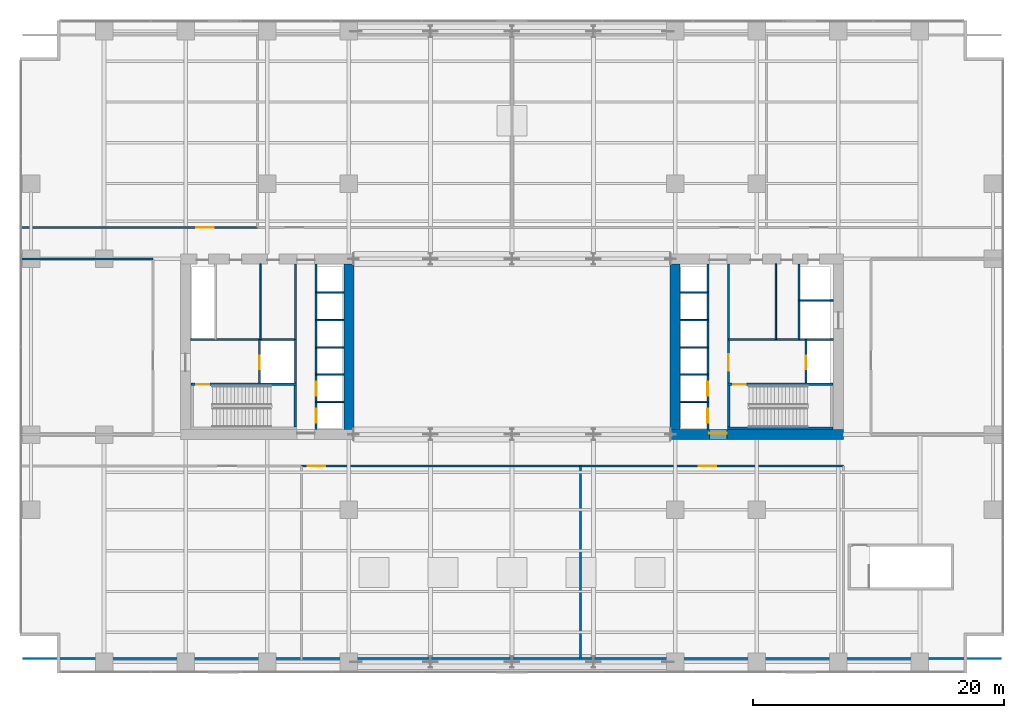
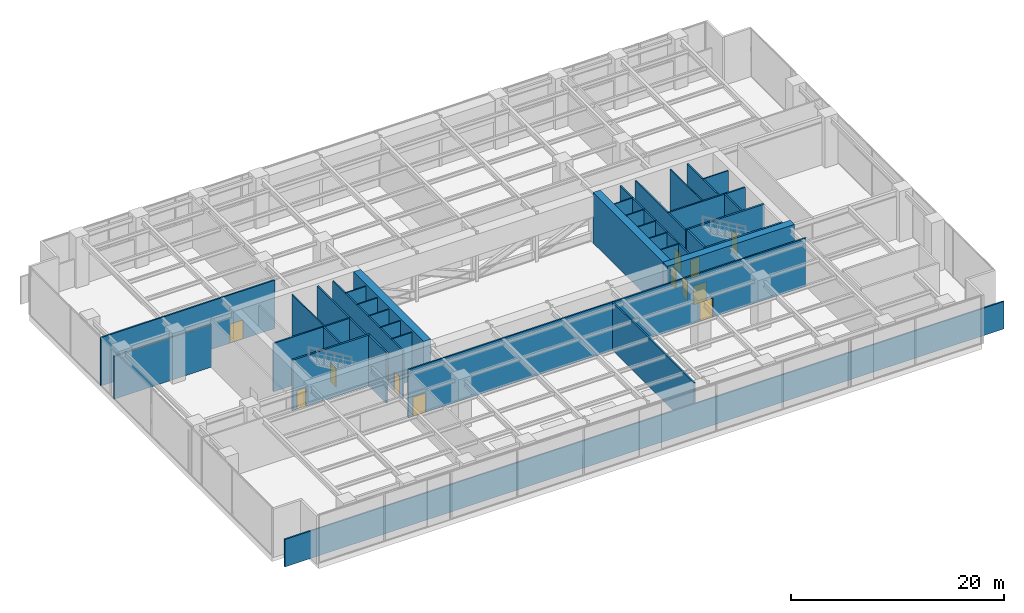
# One storey, part 20 of 25: 37 walls, 13 doors, 13 openings.
"""IFC4 building model written with IfcOpenShell, lengths in metres."""

from ifc_helpers import new_model, si_unit, direction, frame, frame_2d, origin, place, context, subcontext, project, spatial, rectangle, extrude, material, layer, layer_set, type_object, element, fill, save


model = new_model("IFC4")

# Units and contexts
model_context = context("Model", 3, precision=1e-05, world=origin(), true_north=direction((0.0, 1.0)))
body_context = subcontext(model_context, "Body", "Model", "MODEL_VIEW")
ifc_project = project(units=[si_unit("LENGTHUNIT", "METRE"), si_unit("AREAUNIT", "SQUARE_METRE"), si_unit("VOLUMEUNIT", "CUBIC_METRE"), si_unit("PLANEANGLEUNIT", "RADIAN"), si_unit("MASSUNIT", "GRAM", prefix="KILO")], contexts=[model_context])

# Site, building, storey
site_placement = place(None, origin())
site = spatial("IfcSite", under=ifc_project, at=site_placement, CompositionType="ELEMENT")
building_placement = place(site_placement, origin())
building = spatial("IfcBuilding", under=site, at=building_placement, Name="Putna Gate Headquarters", CompositionType="ELEMENT")
storey_placement = place(building_placement, frame((0.0, 0.0, 22.0)))
storey = spatial("IfcBuildingStorey", under=building, at=storey_placement, Name="L04", CompositionType="ELEMENT", Elevation=22.0)

# Wall
ifc_material_1 = material(Name="Concrete C60/75", Category="concrete")
ifc_layer_1 = layer(ifc_material_1, 0.800048828125)
ifc_layer_set_1 = layer_set([ifc_layer_1], Name="Concrete C60/75")
wall_type_1 = type_object("IfcWallType", Name="WALL-CORE-800", PredefinedType="SHEAR", material=ifc_layer_set_1)
wall_1_placement = place(storey_placement, frame((26.0, 19.39990234375, 0.0), z_axis=(0.0, 0.0, 1.0), x_axis=(0.0, 1.0, 0.0)))
element("IfcWall", 1, at=wall_1_placement, inside=storey, type_object=wall_type_1, Name="L04 WC Split Core Shear Wall E", PredefinedType="SHEAR", context=body_context, shape_type="SweptSolid", body=[
    extrude(rectangle(XDim=13.2001953125, YDim=0.800048828125, at=frame_2d((6.60009765625, 0.0))), origin(), (0.0, 0.0, 1.0), 5.800048828125),
])

# Wall, opening, door
wall_2_placement = place(storey_placement, frame((51.60009765625, 19.0, 0.0), z_axis=(0.0, 0.0, 1.0), x_axis=(1.0, 0.0, 0.0)))
wall_2 = element("IfcWall", 2, at=wall_2_placement, inside=storey, type_object=wall_type_1, Name="L04 EC Split Core Shear Wall S", PredefinedType="SHEAR", context=body_context, shape_type="SweptSolid", body=[
    extrude(rectangle(XDim=13.7998046875, YDim=0.800048828125, at=frame_2d((6.89990234375, 0.0))), origin(), (0.0, 0.0, 1.0), 5.800048828125),
])
opening_1_placement = place(wall_2_placement, frame((3.1201171875, 0.0, 0.0)))
opening_1 = element("IfcOpeningElement", 3, at=opening_1_placement, cuts=wall_2, Name="Opening FDD-140", PredefinedType="OPENING", context=body_context, shape_type="SweptSolid", body=[
    extrude(rectangle(XDim=1.39990234375, YDim=2.199951171875, at=frame_2d((0.699951171875, 1.10009765625))), frame((0.0, 0.409912109375, 0.0), z_axis=(0.0, -1.0, 0.0), x_axis=(1.0, 0.0, 0.0)), (0.0, 0.0, 1.0), 0.820068359375),
])
ifc_material_2 = material(Name="Double steel fire door", Category="steel")
door_type_1 = type_object("IfcDoorType", Name="DOOR-FIRE-DBL-1400", OperationType="DOUBLE_DOOR_SINGLE_SWING", PredefinedType="DOOR", material=ifc_material_2)
door_1_placement = place(opening_1_placement, origin())
door_1 = element("IfcDoor", 4, at=door_1_placement, inside=storey, type_object=door_type_1, Name="L04 East Lift Lobby South Door", OperationType="DOUBLE_DOOR_SINGLE_SWING", OverallHeight=2.199951171875, OverallWidth=1.39990234375, PredefinedType="DOOR", context=body_context, shape_type="SweptSolid", body=[
    extrude(rectangle(XDim=1.39990234375, YDim=2.199951171875, at=frame_2d((0.699951171875, 1.10009765625))), frame((0.0, 0.125, 0.0), z_axis=(0.0, -1.0, 0.0), x_axis=(1.0, 0.0, 0.0)), (0.0, 0.0, 1.0), 0.050048828125),
])
fill(opening_1, door_1)

# Walls
wall_3_placement = place(storey_placement, frame((52.0, 19.39990234375, 0.0), z_axis=(0.0, 0.0, 1.0), x_axis=(0.0, 1.0, 0.0)))
element("IfcWall", 5, at=wall_3_placement, inside=storey, type_object=wall_type_1, Name="L04 EC Split Core Shear Wall W", PredefinedType="SHEAR", context=body_context, shape_type="SweptSolid", body=[
    extrude(rectangle(XDim=13.2001953125, YDim=0.800048828125, at=frame_2d((6.60009765625, 0.0))), origin(), (0.0, 0.0, 1.0), 5.800048828125),
])
ifc_material_3 = material(Name="Fire-rated shaftwall gypsum board on metal stud")
ifc_layer_2 = layer(ifc_material_3, 0.1201171875)
ifc_layer_set_2 = layer_set([ifc_layer_2], Name="Fire-rated shaftwall gypsum board on metal stud")
wall_type_2 = type_object("IfcWallType", Name="WALL-PART-120-EI120", PredefinedType="PARTITIONING", material=ifc_layer_set_2)
for number, where, z_axis, x_axis, name in (
    (6, (23.39990234375, 21.610107421875, 0.0), (0.0, 0.0, 1.0), (1.0, 0.0, 0.0), "L04 Interior Wall CWINT-L04-WC-LF01-DIV"),
    (7, (23.39990234375, 23.780029296875, 0.0), (0.0, 0.0, 1.0), (1.0, 0.0, 0.0), "L04 Interior Wall CWINT-L04-WC-LF02-DIV"),
    (8, (23.39990234375, 25.949951171875, 0.0), (0.0, 0.0, 1.0), (1.0, 0.0, 0.0), "L04 Interior Wall CWINT-L04-WC-LF05-DIV"),
    (9, (23.39990234375, 28.1201171875, 0.0), (0.0, 0.0, 1.0), (1.0, 0.0, 0.0), "L04 Interior Wall CWINT-L04-WC-LF06-DIV"),
    (10, (23.39990234375, 30.31005859375, 0.0), (0.0, 0.0, 1.0), (1.0, 0.0, 0.0), "L04 Interior Wall CWINT-L04-WC-LF09-DIV"),
    (11, (52.39990234375, 21.610107421875, 0.0), (0.0, 0.0, 1.0), (1.0, 0.0, 0.0), "L04 Interior Wall CWINT-L04-EC-LF03-DIV"),
    (12, (52.39990234375, 23.780029296875, 0.0), (0.0, 0.0, 1.0), (1.0, 0.0, 0.0), "L04 Interior Wall CWINT-L04-EC-LF04-DIV"),
    (13, (52.39990234375, 25.949951171875, 0.0), (0.0, 0.0, 1.0), (1.0, 0.0, 0.0), "L04 Interior Wall CWINT-L04-EC-LF07-DIV"),
    (14, (52.39990234375, 28.1201171875, 0.0), (0.0, 0.0, 1.0), (1.0, 0.0, 0.0), "L04 Interior Wall CWINT-L04-EC-LF08-DIV"),
    (15, (52.39990234375, 30.31005859375, 0.0), (0.0, 0.0, 1.0), (1.0, 0.0, 0.0), "L04 Interior Wall CWINT-L04-EC-LF11-DIV"),
):
    element("IfcWall", number, at=place(storey_placement, frame(where, z_axis=z_axis, x_axis=x_axis)), inside=storey, type_object=wall_type_2, Name=name, PredefinedType="PARTITIONING", context=body_context, shape_type="SweptSolid", body=[
        extrude(rectangle(XDim=2.2001953125, YDim=0.1201171875, at=frame_2d((1.10009765625, 0.0))), origin(), (0.0, 0.0, 1.0), 5.550048828125),
    ])
wall_4_placement = place(storey_placement, frame((61.8701171875, 29.699951171875, 0.0), z_axis=(0.0, 0.0, 1.0), x_axis=(1.0, 0.0, 0.0)))
element("IfcWall", 16, at=wall_4_placement, inside=storey, type_object=wall_type_2, Name="L04 Interior Wall CWINT-L04-EC-LF15-N", PredefinedType="PARTITIONING", context=body_context, shape_type="SweptSolid", body=[
    extrude(rectangle(XDim=2.72998046875, YDim=0.1201171875, at=frame_2d((1.364990234375, 0.0))), origin(), (0.0, 0.0, 1.0), 5.550048828125),
])
ifc_material_4 = material(Name="Fire-rated gypsum board on metal stud")
ifc_layer_3 = layer(ifc_material_4, 0.1201171875)
ifc_layer_set_3 = layer_set([ifc_layer_3], Name="Fire-rated gypsum board on metal stud")
wall_type_3 = type_object("IfcWallType", Name="WALL-PART-120-RATED", PredefinedType="PARTITIONING", material=ifc_layer_set_3)
for number, where, z_axis, x_axis, name in (
    (17, (18.969970703125, 26.56005859375, 0.0), (0.0, 0.0, 1.0), (0.0, 1.0, 0.0), "L04 Interior Wall CWINT-L04-WC-K0-DIV"),
    (18, (60.02001953125, 26.56005859375, 0.0), (0.0, 0.0, 1.0), (0.0, 1.0, 0.0), "L04 Interior Wall CWINT-L04-EC-K0-DIV"),
):
    element("IfcWall", number, at=place(storey_placement, frame(where, z_axis=z_axis, x_axis=x_axis)), inside=storey, type_object=wall_type_3, Name=name, PredefinedType="PARTITIONING", context=body_context, shape_type="SweptSolid", body=[
        extrude(rectangle(XDim=6.0400390625, YDim=0.1201171875, at=frame_2d((3.02001953125, 0.0))), origin(), (0.0, 0.0, 1.0), 5.550048828125),
    ])
ifc_material_5 = material(Name="Concrete C40/50", Category="concrete")
ifc_layer_4 = layer(ifc_material_5, 0.159912109375)
ifc_layer_set_4 = layer_set([ifc_layer_4], Name="Concrete C40/50")
wall_type_4 = type_object("IfcWallType", Name="WALL-SHAFT-160", PredefinedType="STANDARD", material=ifc_layer_set_4)
wall_5_placement = place(storey_placement, frame((21.739990234375, 23.090087890625, 0.0), z_axis=(0.0, 0.0, 1.0), x_axis=(0.0, 1.0, 0.0)))
element("IfcWall", 19, at=wall_5_placement, inside=storey, type_object=wall_type_4, Name="L04 Interior Wall CWINT-L04-WC-FFL-E", PredefinedType="STANDARD", context=body_context, shape_type="SweptSolid", body=[
    extrude(rectangle(XDim=3.469970703125, YDim=0.159912109375, at=frame_2d((1.73486328125, 0.0))), origin(), (0.0, 0.0, 1.0), 5.550048828125),
])

# Wall, opening, door
wall_6_placement = place(storey_placement, frame((18.8798828125, 23.090087890625, 0.0), z_axis=(0.0, 0.0, 1.0), x_axis=(0.0, 1.0, 0.0)))
wall_6 = element("IfcWall", 20, at=wall_6_placement, inside=storey, type_object=wall_type_4, Name="L04 Interior Wall CWINT-L04-WC-LF13-W", PredefinedType="STANDARD", context=body_context, shape_type="SweptSolid", body=[
    extrude(rectangle(XDim=3.469970703125, YDim=0.159912109375, at=frame_2d((1.73486328125, 0.0))), origin(), (0.0, 0.0, 1.0), 5.550048828125),
])
opening_2_placement = place(wall_6_placement, frame((1.10009765625, 0.0, 0.0)))
opening_2 = element("IfcOpeningElement", 21, at=opening_2_placement, cuts=wall_6, Name="Opening LD-1", PredefinedType="OPENING", context=body_context, shape_type="SweptSolid", body=[
    extrude(rectangle(XDim=1.10009765625, YDim=2.199951171875, at=frame_2d((0.550048828125, 1.10009765625))), frame((0.0, 0.08984375, 0.0), z_axis=(0.0, -1.0, 0.0), x_axis=(1.0, 0.0, 0.0)), (0.0, 0.0, 1.0), 0.179931640625),
])
ifc_material_6 = material(Name="Brushed bronze stainless lift landing door")
door_type_2 = type_object("IfcDoorType", Name="DOOR-LIFT-1100", OperationType="DOUBLE_DOOR_SLIDING", PredefinedType="DOOR", material=ifc_material_6)
door_2_placement = place(opening_2_placement, origin())
door_2 = element("IfcDoor", 22, at=door_2_placement, inside=storey, type_object=door_type_2, Name="L04 Lift Landing Door LD-13", OperationType="DOUBLE_DOOR_SLIDING", OverallHeight=2.199951171875, OverallWidth=1.10009765625, PredefinedType="DOOR", context=body_context, shape_type="SweptSolid", body=[
    extrude(rectangle(XDim=1.10009765625, YDim=2.199951171875, at=frame_2d((0.550048828125, 1.10009765625))), frame((0.0, 0.02490234375, 0.0), z_axis=(0.0, -1.0, 0.0), x_axis=(1.0, 0.0, 0.0)), (0.0, 0.0, 1.0), 0.050048828125),
])
fill(opening_2, door_2)

# Walls
wall_7_placement = place(storey_placement, frame((13.39990234375, 26.56005859375, 0.0), z_axis=(0.0, 0.0, 1.0), x_axis=(1.0, 0.0, 0.0)))
element("IfcWall", 23, at=wall_7_placement, inside=storey, type_object=wall_type_4, Name="L04 Interior Wall CWINT-L04-WC-FFL-N", PredefinedType="STANDARD", context=body_context, shape_type="SweptSolid", body=[
    extrude(rectangle(XDim=8.340087890625, YDim=0.159912109375, at=frame_2d((4.169921875, 0.0))), origin(), (0.0, 0.0, 1.0), 5.550048828125),
])
wall_8_placement = place(storey_placement, frame((21.739990234375, 26.56005859375, 0.0), z_axis=(0.0, 0.0, 1.0), x_axis=(0.0, 1.0, 0.0)))
element("IfcWall", 24, at=wall_8_placement, inside=storey, type_object=wall_type_4, Name="L04 Interior Wall CWINT-L04-WC-LOB-W", PredefinedType="STANDARD", context=body_context, shape_type="SweptSolid", body=[
    extrude(rectangle(XDim=6.0400390625, YDim=0.159912109375, at=frame_2d((3.02001953125, 0.0))), origin(), (0.0, 0.0, 1.0), 5.550048828125),
])

# Wall, openings, doors
wall_9_placement = place(storey_placement, frame((23.39990234375, 19.39990234375, 0.0), z_axis=(0.0, 0.0, 1.0), x_axis=(0.0, 1.0, 0.0)))
wall_9 = element("IfcWall", 25, at=wall_9_placement, inside=storey, type_object=wall_type_4, Name="L04 Interior Wall CWINT-L04-WC-PL-WALL", PredefinedType="STANDARD", context=body_context, shape_type="SweptSolid", body=[
    extrude(rectangle(XDim=13.2001953125, YDim=0.159912109375, at=frame_2d((6.60009765625, 0.0))), origin(), (0.0, 0.0, 1.0), 5.550048828125),
])
opening_3_placement = place(wall_9_placement, frame((0.550048828125, 0.0, 0.0)))
opening_3 = element("IfcOpeningElement", 26, at=opening_3_placement, cuts=wall_9, Name="Opening LD-1", PredefinedType="OPENING", context=body_context, shape_type="SweptSolid", body=[
    extrude(rectangle(XDim=1.10009765625, YDim=2.199951171875, at=frame_2d((0.550048828125, 1.10009765625))), frame((0.0, 0.08984375, 0.0), z_axis=(0.0, -1.0, 0.0), x_axis=(1.0, 0.0, 0.0)), (0.0, 0.0, 1.0), 0.179931640625),
])
opening_4_placement = place(wall_9_placement, frame((2.699951171875, 0.0, 0.0)))
opening_4 = element("IfcOpeningElement", 27, at=opening_4_placement, cuts=wall_9, Name="Opening LD-1", PredefinedType="OPENING", context=body_context, shape_type="SweptSolid", body=[
    extrude(rectangle(XDim=1.10009765625, YDim=2.199951171875, at=frame_2d((0.550048828125, 1.10009765625))), frame((0.0, 0.08984375, 0.0), z_axis=(0.0, -1.0, 0.0), x_axis=(1.0, 0.0, 0.0)), (0.0, 0.0, 1.0), 0.179931640625),
])
door_3_placement = place(opening_3_placement, origin())
door_3 = element("IfcDoor", 28, at=door_3_placement, inside=storey, type_object=door_type_2, Name="L04 Lift Landing Door LD-01", OperationType="DOUBLE_DOOR_SLIDING", OverallHeight=2.199951171875, OverallWidth=1.10009765625, PredefinedType="DOOR", context=body_context, shape_type="SweptSolid", body=[
    extrude(rectangle(XDim=1.10009765625, YDim=2.199951171875, at=frame_2d((0.550048828125, 1.10009765625))), frame((0.0, 0.02490234375, 0.0), z_axis=(0.0, -1.0, 0.0), x_axis=(1.0, 0.0, 0.0)), (0.0, 0.0, 1.0), 0.050048828125),
])
fill(opening_3, door_3)
door_4_placement = place(opening_4_placement, origin())
door_4 = element("IfcDoor", 29, at=door_4_placement, inside=storey, type_object=door_type_2, Name="L04 Lift Landing Door LD-02", OperationType="DOUBLE_DOOR_SLIDING", OverallHeight=2.199951171875, OverallWidth=1.10009765625, PredefinedType="DOOR", context=body_context, shape_type="SweptSolid", body=[
    extrude(rectangle(XDim=1.10009765625, YDim=2.199951171875, at=frame_2d((0.550048828125, 1.10009765625))), frame((0.0, 0.02490234375, 0.0), z_axis=(0.0, -1.0, 0.0), x_axis=(1.0, 0.0, 0.0)), (0.0, 0.0, 1.0), 0.050048828125),
])
fill(opening_4, door_4)

wall_10_placement = place(storey_placement, frame((54.60009765625, 19.39990234375, 0.0), z_axis=(0.0, 0.0, 1.0), x_axis=(0.0, 1.0, 0.0)))
wall_10 = element("IfcWall", 30, at=wall_10_placement, inside=storey, type_object=wall_type_4, Name="L04 Interior Wall CWINT-L04-EC-PL-WALL", PredefinedType="STANDARD", context=body_context, shape_type="SweptSolid", body=[
    extrude(rectangle(XDim=13.2001953125, YDim=0.159912109375, at=frame_2d((6.60009765625, 0.0))), origin(), (0.0, 0.0, 1.0), 5.550048828125),
])
opening_5_placement = place(wall_10_placement, frame((0.550048828125, 0.0, 0.0)))
opening_5 = element("IfcOpeningElement", 31, at=opening_5_placement, cuts=wall_10, Name="Opening LD-1", PredefinedType="OPENING", context=body_context, shape_type="SweptSolid", body=[
    extrude(rectangle(XDim=1.10009765625, YDim=2.199951171875, at=frame_2d((0.550048828125, 1.10009765625))), frame((0.0, 0.08984375, 0.0), z_axis=(0.0, -1.0, 0.0), x_axis=(1.0, 0.0, 0.0)), (0.0, 0.0, 1.0), 0.179931640625),
])
opening_6_placement = place(wall_10_placement, frame((2.699951171875, 0.0, 0.0)))
opening_6 = element("IfcOpeningElement", 32, at=opening_6_placement, cuts=wall_10, Name="Opening LD-1", PredefinedType="OPENING", context=body_context, shape_type="SweptSolid", body=[
    extrude(rectangle(XDim=1.10009765625, YDim=2.199951171875, at=frame_2d((0.550048828125, 1.10009765625))), frame((0.0, 0.08984375, 0.0), z_axis=(0.0, -1.0, 0.0), x_axis=(1.0, 0.0, 0.0)), (0.0, 0.0, 1.0), 0.179931640625),
])
door_5_placement = place(opening_5_placement, origin())
door_5 = element("IfcDoor", 33, at=door_5_placement, inside=storey, type_object=door_type_2, Name="L04 Lift Landing Door LD-03", OperationType="DOUBLE_DOOR_SLIDING", OverallHeight=2.199951171875, OverallWidth=1.10009765625, PredefinedType="DOOR", context=body_context, shape_type="SweptSolid", body=[
    extrude(rectangle(XDim=1.10009765625, YDim=2.199951171875, at=frame_2d((0.550048828125, 1.10009765625))), frame((0.0, 0.02490234375, 0.0), z_axis=(0.0, -1.0, 0.0), x_axis=(1.0, 0.0, 0.0)), (0.0, 0.0, 1.0), 0.050048828125),
])
fill(opening_5, door_5)
door_6_placement = place(opening_6_placement, origin())
door_6 = element("IfcDoor", 34, at=door_6_placement, inside=storey, type_object=door_type_2, Name="L04 Lift Landing Door LD-04", OperationType="DOUBLE_DOOR_SLIDING", OverallHeight=2.199951171875, OverallWidth=1.10009765625, PredefinedType="DOOR", context=body_context, shape_type="SweptSolid", body=[
    extrude(rectangle(XDim=1.10009765625, YDim=2.199951171875, at=frame_2d((0.550048828125, 1.10009765625))), frame((0.0, 0.02490234375, 0.0), z_axis=(0.0, -1.0, 0.0), x_axis=(1.0, 0.0, 0.0)), (0.0, 0.0, 1.0), 0.050048828125),
])
fill(opening_6, door_6)

# Wall, opening, door
wall_11_placement = place(storey_placement, frame((56.260009765625, 23.090087890625, 0.0), z_axis=(0.0, 0.0, 1.0), x_axis=(0.0, 1.0, 0.0)))
wall_11 = element("IfcWall", 35, at=wall_11_placement, inside=storey, type_object=wall_type_4, Name="L04 Interior Wall CWINT-L04-EC-LOB-E", PredefinedType="STANDARD", context=body_context, shape_type="SweptSolid", body=[
    extrude(rectangle(XDim=9.510009765625, YDim=0.159912109375, at=frame_2d((4.7548828125, 0.0))), origin(), (0.0, 0.0, 1.0), 5.550048828125),
])
opening_7_placement = place(wall_11_placement, frame((1.010009765625, 0.0, 0.0)))
opening_7 = element("IfcOpeningElement", 36, at=opening_7_placement, cuts=wall_11, Name="Opening FDD-130", PredefinedType="OPENING", context=body_context, shape_type="SweptSolid", body=[
    extrude(rectangle(XDim=1.300048828125, YDim=2.199951171875, at=frame_2d((0.64990234375, 1.10009765625))), frame((0.0, 0.08984375, 0.0), z_axis=(0.0, -1.0, 0.0), x_axis=(1.0, 0.0, 0.0)), (0.0, 0.0, 1.0), 0.179931640625),
])
ifc_material_7 = material(Name="Double steel lobby fire door", Category="steel")
door_type_3 = type_object("IfcDoorType", Name="DOOR-FIRE-DBL-1300", OperationType="DOUBLE_DOOR_SINGLE_SWING", PredefinedType="DOOR", material=ifc_material_7)
door_7_placement = place(opening_7_placement, origin())
door_7 = element("IfcDoor", 37, at=door_7_placement, inside=storey, type_object=door_type_3, Name="L04 East Firefighting Lobby Door", OperationType="DOUBLE_DOOR_SINGLE_SWING", OverallHeight=2.199951171875, OverallWidth=1.300048828125, PredefinedType="DOOR", context=body_context, shape_type="SweptSolid", body=[
    extrude(rectangle(XDim=1.300048828125, YDim=2.199951171875, at=frame_2d((0.64990234375, 1.10009765625))), frame((0.0, 0.02490234375, 0.0), z_axis=(0.0, -1.0, 0.0), x_axis=(1.0, 0.0, 0.0)), (0.0, 0.0, 1.0), 0.050048828125),
])
fill(opening_7, door_7)

wall_12_placement = place(storey_placement, frame((62.429931640625, 23.090087890625, 0.0), z_axis=(0.0, 0.0, 1.0), x_axis=(0.0, 1.0, 0.0)))
wall_12 = element("IfcWall", 38, at=wall_12_placement, inside=storey, type_object=wall_type_4, Name="L04 Interior Wall CWINT-L04-EC-LF14-W", PredefinedType="STANDARD", context=body_context, shape_type="SweptSolid", body=[
    extrude(rectangle(XDim=3.469970703125, YDim=0.159912109375, at=frame_2d((1.73486328125, 0.0))), origin(), (0.0, 0.0, 1.0), 5.550048828125),
])
opening_8_placement = place(wall_12_placement, frame((1.10009765625, 0.0, 0.0)))
opening_8 = element("IfcOpeningElement", 39, at=opening_8_placement, cuts=wall_12, Name="Opening LD-1", PredefinedType="OPENING", context=body_context, shape_type="SweptSolid", body=[
    extrude(rectangle(XDim=1.10009765625, YDim=2.199951171875, at=frame_2d((0.550048828125, 1.10009765625))), frame((0.0, 0.08984375, 0.0), z_axis=(0.0, -1.0, 0.0), x_axis=(1.0, 0.0, 0.0)), (0.0, 0.0, 1.0), 0.179931640625),
])
door_8_placement = place(opening_8_placement, origin())
door_8 = element("IfcDoor", 40, at=door_8_placement, inside=storey, type_object=door_type_2, Name="L04 Lift Landing Door LD-14", OperationType="DOUBLE_DOOR_SLIDING", OverallHeight=2.199951171875, OverallWidth=1.10009765625, PredefinedType="DOOR", context=body_context, shape_type="SweptSolid", body=[
    extrude(rectangle(XDim=1.10009765625, YDim=2.199951171875, at=frame_2d((0.550048828125, 1.10009765625))), frame((0.0, 0.02490234375, 0.0), z_axis=(0.0, -1.0, 0.0), x_axis=(1.0, 0.0, 0.0)), (0.0, 0.0, 1.0), 0.050048828125),
])
fill(opening_8, door_8)

# Walls
wall_13_placement = place(storey_placement, frame((56.260009765625, 26.56005859375, 0.0), z_axis=(0.0, 0.0, 1.0), x_axis=(1.0, 0.0, 0.0)))
element("IfcWall", 41, at=wall_13_placement, inside=storey, type_object=wall_type_4, Name="L04 Interior Wall CWINT-L04-EC-FFL-N", PredefinedType="STANDARD", context=body_context, shape_type="SweptSolid", body=[
    extrude(rectangle(XDim=8.340087890625, YDim=0.159912109375, at=frame_2d((4.169921875, 0.0))), origin(), (0.0, 0.0, 1.0), 5.550048828125),
])
wall_14_placement = place(storey_placement, frame((61.8701171875, 26.56005859375, 0.0), z_axis=(0.0, 0.0, 1.0), x_axis=(0.0, 1.0, 0.0)))
element("IfcWall", 42, at=wall_14_placement, inside=storey, type_object=wall_type_4, Name="L04 Interior Wall CWINT-L04-EC-LF15-W", PredefinedType="STANDARD", context=body_context, shape_type="SweptSolid", body=[
    extrude(rectangle(XDim=6.0400390625, YDim=0.159912109375, at=frame_2d((3.02001953125, 0.0))), origin(), (0.0, 0.0, 1.0), 5.550048828125),
])
wall_15_placement = place(storey_placement, frame((-0.02001953125, 1.169921875, 0.0), z_axis=(0.0, 0.0, 1.0), x_axis=(1.0, 0.0, 0.0)))
element("IfcWall", 43, at=wall_15_placement, inside=storey, type_object=wall_type_4, Name="L04 Interior Wall PART-L04-BELT-S", PredefinedType="STANDARD", context=body_context, shape_type="SweptSolid", body=[
    extrude(rectangle(XDim=78.0400390625, YDim=0.159912109375, at=frame_2d((39.02001953125, 0.0))), origin(), (0.0, 0.0, 1.0), 3.14990234375),
])
wall_16_placement = place(storey_placement, frame((-0.179931640625, 33.0, 0.0), z_axis=(0.0, 0.0, 1.0), x_axis=(1.0, 0.0, 0.0)))
element("IfcWall", 44, at=wall_16_placement, inside=storey, type_object=wall_type_4, Name="L04 Interior Wall PART-L04-REFW-N", PredefinedType="STANDARD", context=body_context, shape_type="SweptSolid", body=[
    extrude(rectangle(XDim=10.579833984375, YDim=0.159912109375, at=frame_2d((5.2900390625, 0.0))), origin(), (0.0, 0.0, 1.0), 4.89990234375),
])

# Wall, opening, door
wall_17_placement = place(storey_placement, frame((-0.179931640625, 35.5, 0.0), z_axis=(0.0, 0.0, 1.0), x_axis=(1.0, 0.0, 0.0)))
wall_17 = element("IfcWall", 45, at=wall_17_placement, inside=storey, type_object=wall_type_4, Name="L04 Interior Wall PART-L04-PN-CW1", PredefinedType="STANDARD", context=body_context, shape_type="SweptSolid", body=[
    extrude(rectangle(XDim=18.8896484375, YDim=0.159912109375, at=frame_2d((9.44482421875, 0.0))), origin(), (0.0, 0.0, 1.0), 5.550048828125),
])
opening_9_placement = place(wall_17_placement, frame((14.034912109375, 0.0, 0.0)))
opening_9 = element("IfcOpeningElement", 46, at=opening_9_placement, cuts=wall_17, Name="Opening FDD-140", PredefinedType="OPENING", context=body_context, shape_type="SweptSolid", body=[
    extrude(rectangle(XDim=1.39990234375, YDim=2.199951171875, at=frame_2d((0.699951171875, 1.10009765625))), frame((0.0, 0.08984375, 0.0), z_axis=(0.0, -1.0, 0.0), x_axis=(1.0, 0.0, 0.0)), (0.0, 0.0, 1.0), 0.179931640625),
])
door_9_placement = place(opening_9_placement, origin())
door_9 = element("IfcDoor", 47, at=door_9_placement, inside=storey, type_object=door_type_1, Name="L04 AHU Ventilation Plant Room Door", OperationType="DOUBLE_DOOR_SINGLE_SWING", OverallHeight=2.199951171875, OverallWidth=1.39990234375, PredefinedType="DOOR", context=body_context, shape_type="SweptSolid", body=[
    extrude(rectangle(XDim=1.39990234375, YDim=2.199951171875, at=frame_2d((0.699951171875, 1.10009765625))), frame((0.0, 0.02490234375, 0.0), z_axis=(0.0, -1.0, 0.0), x_axis=(1.0, 0.0, 0.0)), (0.0, 0.0, 1.0), 0.050048828125),
])
fill(opening_9, door_9)

# Wall
wall_18_placement = place(storey_placement, frame((44.465576171875, 1.090087890625, 0.0), z_axis=(0.0, 0.0, 1.0), x_axis=(0.0, 1.0, 0.0)))
element("IfcWall", 48, at=wall_18_placement, inside=storey, type_object=wall_type_4, Name="L04 Interior Wall PART-L04-PS-DIV2", PredefinedType="STANDARD", context=body_context, shape_type="SweptSolid", body=[
    extrude(rectangle(XDim=15.409912109375, YDim=0.159912109375, at=frame_2d((7.705078125, 0.0))), origin(), (0.0, 0.0, 1.0), 5.550048828125),
])

# Wall, opening, door
wall_19_placement = place(storey_placement, frame((22.222900390625, 16.5, 0.0), z_axis=(0.0, 0.0, 1.0), x_axis=(1.0, 0.0, 0.0)))
wall_19 = element("IfcWall", 49, at=wall_19_placement, inside=storey, type_object=wall_type_4, Name="L04 Interior Wall PART-L04-PS-CW2", PredefinedType="STANDARD", context=body_context, shape_type="SweptSolid", body=[
    extrude(rectangle(XDim=22.24267578125, YDim=0.159912109375, at=frame_2d((11.121337890625, 0.0))), origin(), (0.0, 0.0, 1.0), 5.550048828125),
])
opening_10_placement = place(wall_19_placement, frame((0.488525390625, 0.0, 0.0)))
opening_10 = element("IfcOpeningElement", 50, at=opening_10_placement, cuts=wall_19, Name="Opening FDD-140", PredefinedType="OPENING", context=body_context, shape_type="SweptSolid", body=[
    extrude(rectangle(XDim=1.39990234375, YDim=2.199951171875, at=frame_2d((0.699951171875, 1.10009765625))), frame((0.0, 0.08984375, 0.0), z_axis=(0.0, -1.0, 0.0), x_axis=(1.0, 0.0, 0.0)), (0.0, 0.0, 1.0), 0.179931640625),
])
door_10_placement = place(opening_10_placement, origin())
door_10 = element("IfcDoor", 51, at=door_10_placement, inside=storey, type_object=door_type_1, Name="L04 Thermal Energy Storage and Calorifier Plant Door", OperationType="DOUBLE_DOOR_SINGLE_SWING", OverallHeight=2.199951171875, OverallWidth=1.39990234375, PredefinedType="DOOR", context=body_context, shape_type="SweptSolid", body=[
    extrude(rectangle(XDim=1.39990234375, YDim=2.199951171875, at=frame_2d((0.699951171875, 1.10009765625))), frame((0.0, 0.02490234375, 0.0), z_axis=(0.0, -1.0, 0.0), x_axis=(1.0, 0.0, 0.0)), (0.0, 0.0, 1.0), 0.050048828125),
])
fill(opening_10, door_10)

wall_20_placement = place(storey_placement, frame((44.465576171875, 16.5, 0.0), z_axis=(0.0, 0.0, 1.0), x_axis=(1.0, 0.0, 0.0)))
wall_20 = element("IfcWall", 52, at=wall_20_placement, inside=storey, type_object=wall_type_4, Name="L04 Interior Wall PART-L04-PS-CW3", PredefinedType="STANDARD", context=body_context, shape_type="SweptSolid", body=[
    extrude(rectangle(XDim=20.934326171875, YDim=0.159912109375, at=frame_2d((10.46728515625, 0.0))), origin(), (0.0, 0.0, 1.0), 5.550048828125),
])
opening_11_placement = place(wall_20_placement, frame((9.414306640625, 0.0, 0.0)))
opening_11 = element("IfcOpeningElement", 53, at=opening_11_placement, cuts=wall_20, Name="Opening FDD-140", PredefinedType="OPENING", context=body_context, shape_type="SweptSolid", body=[
    extrude(rectangle(XDim=1.39990234375, YDim=2.199951171875, at=frame_2d((0.699951171875, 1.10009765625))), frame((0.0, 0.08984375, 0.0), z_axis=(0.0, -1.0, 0.0), x_axis=(1.0, 0.0, 0.0)), (0.0, 0.0, 1.0), 0.179931640625),
])
door_11_placement = place(opening_11_placement, origin())
door_11 = element("IfcDoor", 54, at=door_11_placement, inside=storey, type_object=door_type_1, Name="L04 Emergency Power and UPS Battery Plant Room Door", OperationType="DOUBLE_DOOR_SINGLE_SWING", OverallHeight=2.199951171875, OverallWidth=1.39990234375, PredefinedType="DOOR", context=body_context, shape_type="SweptSolid", body=[
    extrude(rectangle(XDim=1.39990234375, YDim=2.199951171875, at=frame_2d((0.699951171875, 1.10009765625))), frame((0.0, 0.02490234375, 0.0), z_axis=(0.0, -1.0, 0.0), x_axis=(1.0, 0.0, 0.0)), (0.0, 0.0, 1.0), 0.050048828125),
])
fill(opening_11, door_11)

ifc_layer_5 = layer(ifc_material_5, 0.199951171875)
ifc_layer_set_5 = layer_set([ifc_layer_5], Name="Concrete C40/50")
wall_type_5 = type_object("IfcWallType", Name="WALL-SHAFT-RC200", PredefinedType="SHEAR", material=ifc_layer_set_5)
wall_21_placement = place(storey_placement, frame((13.409912109375, 22.989990234375, 0.0), z_axis=(0.0, 0.0, 1.0), x_axis=(1.0, 0.0, 0.0)))
wall_21 = element("IfcWall", 55, at=wall_21_placement, inside=storey, type_object=wall_type_5, Name="L04 Stair ST1 Structural Shaft Wall N", PredefinedType="SHEAR", context=body_context, shape_type="SweptSolid", body=[
    extrude(rectangle(XDim=8.43017578125, YDim=0.199951171875, at=frame_2d((4.215087890625, 0.0))), origin(), (0.0, 0.0, 1.0), 5.800048828125),
])
opening_12_placement = place(wall_21_placement, frame((0.449951171875, 0.0, 0.0)))
opening_12 = element("IfcOpeningElement", 56, at=opening_12_placement, cuts=wall_21, Name="Opening FD-100", PredefinedType="OPENING", context=body_context, shape_type="SweptSolid", body=[
    extrude(rectangle(XDim=1.0, YDim=2.14990234375, at=frame_2d((0.5, 1.074951171875))), frame((0.0, 0.10986328125, 0.0), z_axis=(0.0, -1.0, 0.0), x_axis=(1.0, 0.0, 0.0)), (0.0, 0.0, 1.0), 0.219970703125),
])
ifc_material_8 = material(Name="Powder-coated steel fire door", Category="steel")
door_type_4 = type_object("IfcDoorType", Name="DOOR-FIRE-1000", OperationType="NOTDEFINED", PredefinedType="DOOR", material=ifc_material_8)
door_12_placement = place(opening_12_placement, origin())
door_12 = element("IfcDoor", 57, at=door_12_placement, inside=storey, type_object=door_type_4, Name="L04 Stair ST1 Fire Door", OperationType="SINGLE_SWING_LEFT", OverallHeight=2.14990234375, OverallWidth=1.0, PredefinedType="DOOR", context=body_context, shape_type="SweptSolid", body=[
    extrude(rectangle(XDim=1.0, YDim=2.14990234375, at=frame_2d((0.5, 1.074951171875))), frame((0.0, 0.02490234375, 0.0), z_axis=(0.0, -1.0, 0.0), x_axis=(1.0, 0.0, 0.0)), (0.0, 0.0, 1.0), 0.050048828125),
])
fill(opening_12, door_12)

# Walls
wall_22_placement = place(storey_placement, frame((21.739990234375, 19.610107421875, 0.0), z_axis=(0.0, 0.0, 1.0), x_axis=(0.0, 1.0, 0.0)))
element("IfcWall", 58, at=wall_22_placement, inside=storey, type_object=wall_type_5, Name="L04 Stair ST1 Structural Shaft Wall E", PredefinedType="SHEAR", context=body_context, shape_type="SweptSolid", body=[
    extrude(rectangle(XDim=3.27978515625, YDim=0.199951171875, at=frame_2d((1.639892578125, 0.0))), origin(), (0.0, 0.0, 1.0), 5.800048828125),
])
wall_23_placement = place(storey_placement, frame((56.159912109375, 19.510009765625, 0.0), z_axis=(0.0, 0.0, 1.0), x_axis=(1.0, 0.0, 0.0)))
element("IfcWall", 59, at=wall_23_placement, inside=storey, type_object=wall_type_5, Name="L04 Stair ST2 Structural Shaft Wall S", PredefinedType="SHEAR", context=body_context, shape_type="SweptSolid", body=[
    extrude(rectangle(XDim=8.43017578125, YDim=0.199951171875, at=frame_2d((4.215087890625, 0.0))), origin(), (0.0, 0.0, 1.0), 5.800048828125),
])

# Wall, opening, door
wall_24_placement = place(storey_placement, frame((56.159912109375, 22.989990234375, 0.0), z_axis=(0.0, 0.0, 1.0), x_axis=(1.0, 0.0, 0.0)))
wall_24 = element("IfcWall", 60, at=wall_24_placement, inside=storey, type_object=wall_type_5, Name="L04 Stair ST2 Structural Shaft Wall N", PredefinedType="SHEAR", context=body_context, shape_type="SweptSolid", body=[
    extrude(rectangle(XDim=8.43017578125, YDim=0.199951171875, at=frame_2d((4.215087890625, 0.0))), origin(), (0.0, 0.0, 1.0), 5.800048828125),
])
opening_13_placement = place(wall_24_placement, frame((0.449951171875, 0.0, 0.0)))
opening_13 = element("IfcOpeningElement", 61, at=opening_13_placement, cuts=wall_24, Name="Opening FD-100", PredefinedType="OPENING", context=body_context, shape_type="SweptSolid", body=[
    extrude(rectangle(XDim=1.0, YDim=2.14990234375, at=frame_2d((0.5, 1.074951171875))), frame((0.0, 0.10986328125, 0.0), z_axis=(0.0, -1.0, 0.0), x_axis=(1.0, 0.0, 0.0)), (0.0, 0.0, 1.0), 0.219970703125),
])
door_13_placement = place(opening_13_placement, origin())
door_13 = element("IfcDoor", 62, at=door_13_placement, inside=storey, type_object=door_type_4, Name="L04 Stair ST2 Fire Door", OperationType="SINGLE_SWING_RIGHT", OverallHeight=2.14990234375, OverallWidth=1.0, PredefinedType="DOOR", context=body_context, shape_type="SweptSolid", body=[
    extrude(rectangle(XDim=1.0, YDim=2.14990234375, at=frame_2d((0.5, 1.074951171875))), frame((0.0, 0.02490234375, 0.0), z_axis=(0.0, -1.0, 0.0), x_axis=(1.0, 0.0, 0.0)), (0.0, 0.0, 1.0), 0.050048828125),
])
fill(opening_13, door_13)

# Wall
wall_25_placement = place(storey_placement, frame((56.260009765625, 19.610107421875, 0.0), z_axis=(0.0, 0.0, 1.0), x_axis=(0.0, 1.0, 0.0)))
element("IfcWall", 63, at=wall_25_placement, inside=storey, type_object=wall_type_5, Name="L04 Stair ST2 Structural Shaft Wall W", PredefinedType="SHEAR", context=body_context, shape_type="SweptSolid", body=[
    extrude(rectangle(XDim=3.27978515625, YDim=0.199951171875, at=frame_2d((1.639892578125, 0.0))), origin(), (0.0, 0.0, 1.0), 5.800048828125),
])

save(model, "model.ifc")
